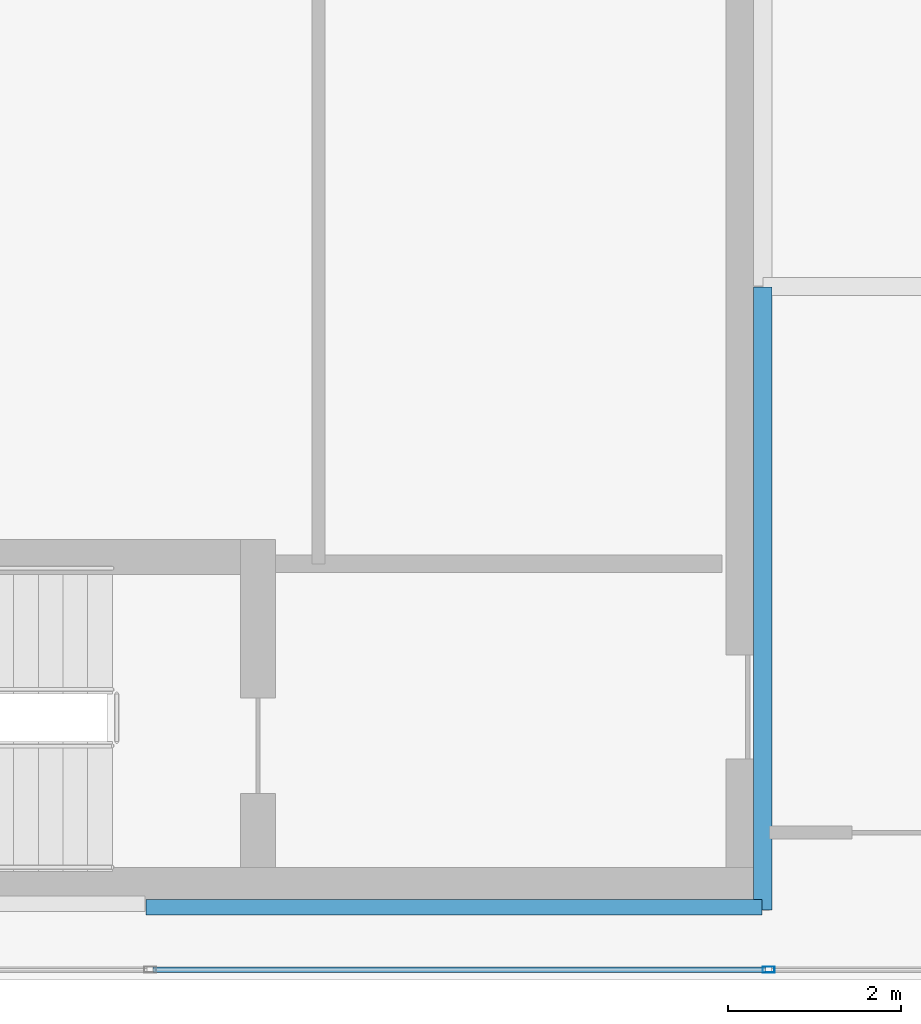
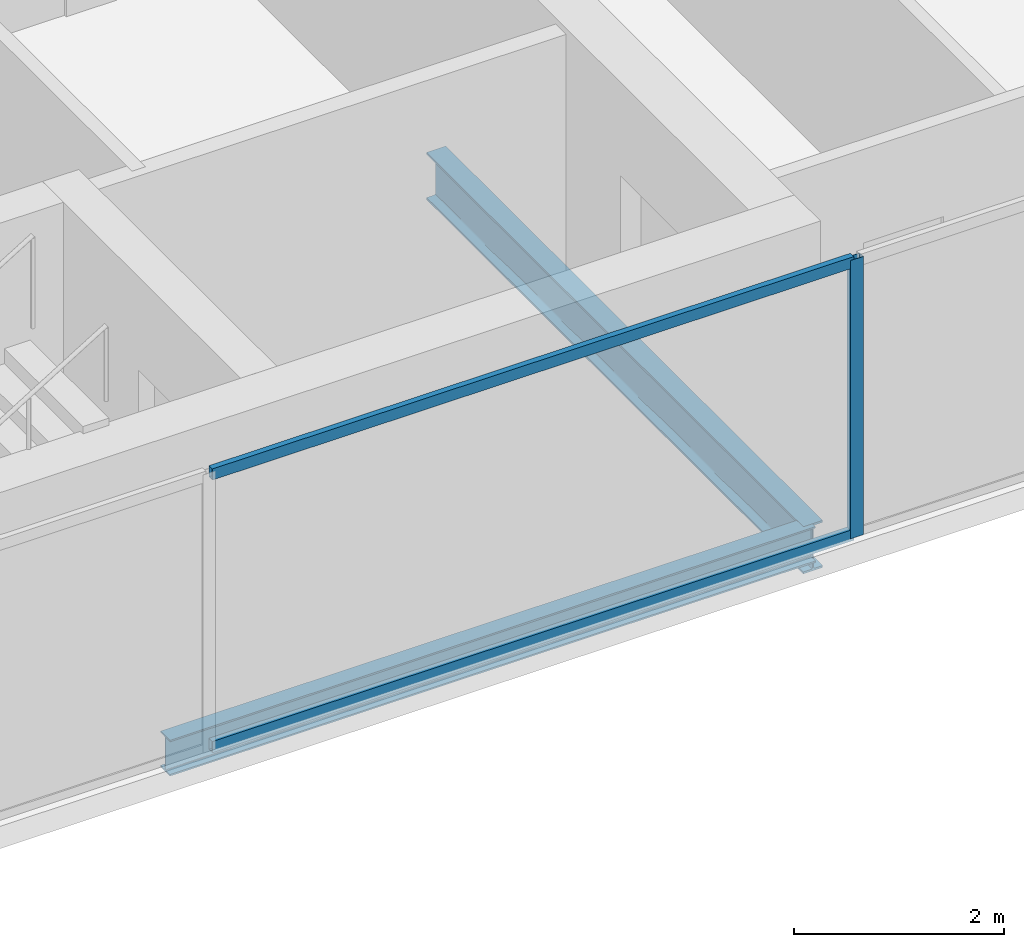
# One storey, part 3 of 23: 3 members, 2 beams, 1 element without a shape of its own.
"""IFC4 building model written with IfcOpenShell, lengths in metres."""

from ifc_helpers import new_model, si_unit, direction, frame, origin, origin_2d, place, context, subcontext, project, spatial, hollow_rectangle, i_section, extrude, material, material_profile, profile_set, type_object, element, aggregate, save


model = new_model("IFC4")

# Units and contexts
model_context = context("Model", 3, precision=1e-05, world=origin(), true_north=direction((0.0, 1.0)))
body_context = subcontext(model_context, "Body", "Model", "MODEL_VIEW")
ifc_project = project(units=[si_unit("LENGTHUNIT", "METRE"), si_unit("AREAUNIT", "SQUARE_METRE"), si_unit("VOLUMEUNIT", "CUBIC_METRE"), si_unit("PLANEANGLEUNIT", "RADIAN"), si_unit("MASSUNIT", "GRAM", prefix="KILO")], contexts=[model_context])

# Site, building, storey
site_placement = place(None, origin())
site = spatial("IfcSite", under=ifc_project, at=site_placement, CompositionType="ELEMENT")
building_placement = place(site_placement, origin())
building = spatial("IfcBuilding", under=site, at=building_placement, Name="Cobrela Telecom Tower", CompositionType="ELEMENT")
storey_placement = place(building_placement, frame((0.0, 0.0, 255.14990234375)))
storey = spatial("IfcBuildingStorey", under=building, at=storey_placement, Name="L66", CompositionType="ELEMENT", Elevation=255.14990234375)

# Beams
ifc_material_1 = material(Name="Steel ASTM A992 Grade 50", Category="steel")
ifc_material_profile_1 = material_profile(ifc_material_1, i_section(OverallWidth=0.212890625, OverallDepth=0.549072265625, WebThickness=0.0146484375, FlangeThickness=0.023681640625, FilletRadius=0.013916015625, at=origin_2d()), Name="W21X93")
ifc_profile_set_1 = profile_set([ifc_material_profile_1], Name="Steel ASTM A992 Grade 50")
beam_type_1 = type_object("IfcBeamType", Name="BM-GIRD-08", PredefinedType="USERDEFINED", material=ifc_profile_set_1)
beam_1_placement = place(storey_placement, frame((14.320068359375, 7.205078125, -0.534423828125), z_axis=(0.0, 1.0, 0.0), x_axis=(-1.0, 0.0, 0.0)))
element("IfcBeam", 1, at=beam_1_placement, inside=storey, type_object=beam_type_1, Name="L66 Primary Girder Y21", ObjectType="GIRDER", PredefinedType="USERDEFINED", context=body_context, shape_type="SweptSolid", body=[
    extrude(i_section(OverallWidth=0.212890625, OverallDepth=0.549072265625, WebThickness=0.0146484375, FlangeThickness=0.023681640625, FilletRadius=0.013916015625, at=origin_2d()), origin(), (0.0, 0.0, 1.0), 7.18994140625),
])
ifc_material_profile_2 = material_profile(ifc_material_1, i_section(OverallWidth=0.179931640625, OverallDepth=0.4169921875, WebThickness=0.010986328125, FlangeThickness=0.01806640625, FilletRadius=0.011962890625, at=origin_2d()), Name="W16X57")
ifc_profile_set_2 = profile_set([ifc_material_profile_2], Name="Steel ASTM A992 Grade 50")
beam_type_2 = type_object("IfcBeamType", Name="BM-SPAND-06", PredefinedType="SPANDREL", material=ifc_profile_set_2)
beam_2_placement = place(storey_placement, frame((7.205078125, 7.239990234375, -0.468505859375), z_axis=(1.0, 0.0, 0.0), x_axis=(0.0, 1.0, 0.0)))
element("IfcBeam", 2, at=beam_2_placement, inside=storey, type_object=beam_type_2, Name="L66 Perimeter Spandrel X02", PredefinedType="SPANDREL", context=body_context, shape_type="SweptSolid", body=[
    extrude(i_section(OverallWidth=0.179931640625, OverallDepth=0.4169921875, WebThickness=0.010986328125, FlangeThickness=0.01806640625, FilletRadius=0.011962890625, at=origin_2d()), origin(), (0.0, 0.0, 1.0), 7.10986328125),
])

# Curtain wall, members
ifc_material_2 = material(Name="Anodized Bronze Aluminium 6063-T6", Category="aluminium")
curtain_wall_type = type_object("IfcCurtainWallType", Name="CW-SYS-OFF-HI", PredefinedType="USERDEFINED", material=ifc_material_2)
curtain_wall_placement = place(storey_placement, origin())
curtain_wall = element("IfcCurtainWall", 3, at=curtain_wall_placement, inside=storey, type_object=curtain_wall_type, Name="L66 Unitised Bronze Curtain Wall 15", ObjectType="UNITISED CURTAIN WALL", PredefinedType="USERDEFINED")
ifc_material_profile_3 = material_profile(ifc_material_2, hollow_rectangle(XDim=0.070068359375, YDim=0.139892578125, WallThickness=0.00390625, at=origin_2d()), Name="ALU 70x140x4")
ifc_profile_set_3 = profile_set([ifc_material_profile_3], Name="Anodized Bronze Aluminium 6063-T6")
member_type_1 = type_object("IfcMemberType", Name="CW-SYS-OFF-HI-MUL", PredefinedType="MULLION", material=ifc_profile_set_3)
member_1_placement = place(storey_placement, frame((14.389892578125, 6.52001953125, 0.0), z_axis=(0.0, 0.0, 1.0), x_axis=(0.0, -1.0, 0.0)))
member_1 = element("IfcMember", 4, at=member_1_placement, type_object=member_type_1, Name="CW-OFF-HI mullion 5", PredefinedType="MULLION", context=body_context, shape_type="SweptSolid", body=[
    extrude(hollow_rectangle(XDim=0.070068359375, YDim=0.139892578125, WallThickness=0.00390625, at=origin_2d()), origin(), (0.0, 0.0, 1.0), 3.239990234375),
])
ifc_material_profile_4 = material_profile(ifc_material_2, hollow_rectangle(XDim=0.06494140625, YDim=0.1298828125, WallThickness=0.00390625, at=origin_2d()), Name="ALU 65x130x4")
ifc_profile_set_4 = profile_set([ifc_material_profile_4], Name="Anodized Bronze Aluminium 6063-T6")
member_type_2 = type_object("IfcMemberType", Name="CW-SYS-OFF-HI-TRN", PredefinedType="USERDEFINED", material=ifc_profile_set_4)
member_2_placement = place(storey_placement, frame((14.35498046875, 6.52001953125, 0.03271484375), z_axis=(-1.0, 0.0, 0.0), x_axis=(0.0, -1.0, 0.0)))
member_2 = element("IfcMember", 5, at=member_2_placement, type_object=member_type_2, Name="CW-OFF-HI transom 5.1", ObjectType="TRANSOM", PredefinedType="USERDEFINED", context=body_context, shape_type="SweptSolid", body=[
    extrude(hollow_rectangle(XDim=0.06494140625, YDim=0.1298828125, WallThickness=0.00390625, at=origin_2d()), origin(), (0.0, 0.0, 1.0), 7.06494140625),
])
member_3_placement = place(storey_placement, frame((14.35498046875, 6.52001953125, 3.20751953125), z_axis=(-1.0, 0.0, 0.0), x_axis=(0.0, -1.0, 0.0)))
member_3 = element("IfcMember", 6, at=member_3_placement, type_object=member_type_2, Name="CW-OFF-HI transom 5.2", ObjectType="TRANSOM", PredefinedType="USERDEFINED", context=body_context, shape_type="SweptSolid", body=[
    extrude(hollow_rectangle(XDim=0.06494140625, YDim=0.1298828125, WallThickness=0.00390625, at=origin_2d()), origin(), (0.0, 0.0, 1.0), 7.06494140625),
])
aggregate(curtain_wall, [member_1, member_2, member_3])

save(model, "model.ifc")
